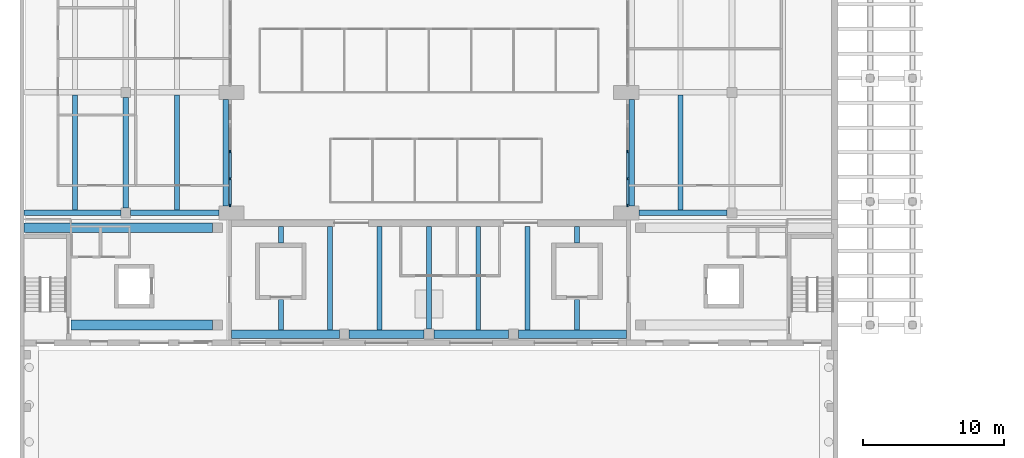
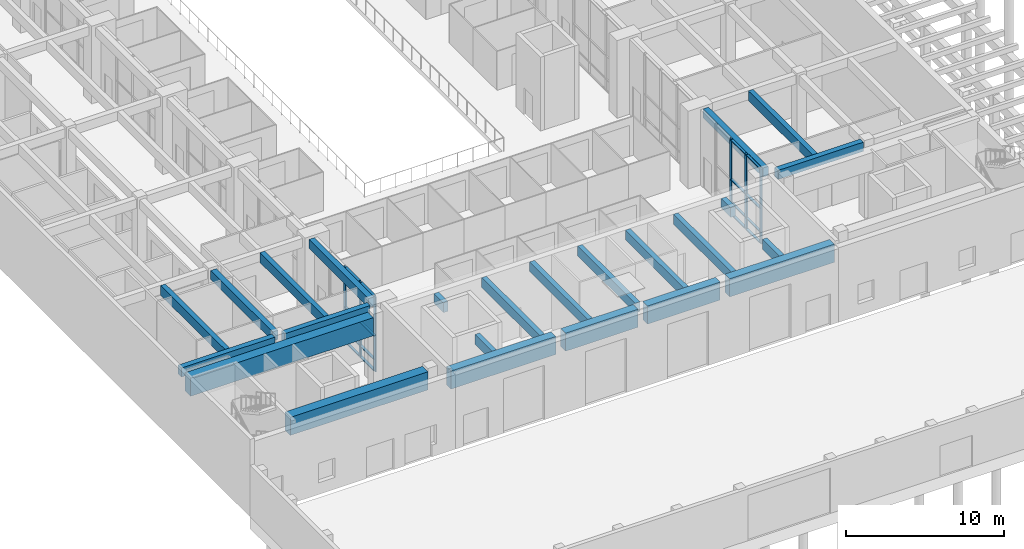
# One storey, part 11 of 51: 24 beams, 22 members, 2 elements without a shape of their own.
"""IFC4 building model written with IfcOpenShell, lengths in metres."""

from ifc_helpers import new_model, si_unit, direction, frame, origin, origin_2d, place, context, subcontext, project, spatial, rectangle, extrude, material, material_profile, profile_set, type_object, element, aggregate, save


model = new_model("IFC4")

# Units and contexts
model_context = context("Model", 3, precision=1e-05, world=origin(), true_north=direction((0.0, 1.0)))
body_context = subcontext(model_context, "Body", "Model", "MODEL_VIEW")
ifc_project = project(units=[si_unit("LENGTHUNIT", "METRE"), si_unit("AREAUNIT", "SQUARE_METRE"), si_unit("VOLUMEUNIT", "CUBIC_METRE"), si_unit("PLANEANGLEUNIT", "RADIAN"), si_unit("MASSUNIT", "GRAM", prefix="KILO")], contexts=[model_context])

# Site, building, storey
site_placement = place(None, origin())
site = spatial("IfcSite", under=ifc_project, at=site_placement, CompositionType="ELEMENT")
building_placement = place(site_placement, origin())
building = spatial("IfcBuilding", under=site, at=building_placement, Name="Elmora Arch Market Hall", CompositionType="ELEMENT")
storey_placement = place(building_placement, origin())
storey = spatial("IfcBuildingStorey", under=building, at=storey_placement, Name="L00", CompositionType="ELEMENT", Elevation=0.0)

# Beams
ifc_material_1 = material(Name="Concrete C32/40", Category="concrete")
ifc_material_profile_1 = material_profile(ifc_material_1, rectangle(XDim=0.699951171875, YDim=1.39990234375, at=origin_2d()), Name="Corner block girder 700x1400")
ifc_profile_set_1 = profile_set([ifc_material_profile_1], Name="Concrete C32/40")
beam_type_1 = type_object("IfcBeamType", Name="Corner block girder 700x1400", PredefinedType="BEAM", material=ifc_profile_set_1)
beam_1_placement = place(storey_placement, frame((3.60009765625, 19.5, 5.050048828125), z_axis=(1.0, 0.0, 0.0), x_axis=(0.0, 1.0, 0.0)))
element("IfcBeam", 1, at=beam_1_placement, inside=storey, type_object=beam_type_1, Name="Corner block girder SWR1 L00.1", PredefinedType="BEAM", context=body_context, shape_type="SweptSolid", body=[
    extrude(rectangle(XDim=0.699951171875, YDim=1.39990234375, at=origin_2d()), origin(), (0.0, 0.0, 1.0), 10.0498046875),
])
beam_2_placement = place(storey_placement, frame((0.300048828125, 26.39990234375, 5.050048828125), z_axis=(1.0, 0.0, 0.0), x_axis=(0.0, 1.0, 0.0)))
element("IfcBeam", 2, at=beam_2_placement, inside=storey, type_object=beam_type_1, Name="Corner block girder SWR2 L00.1", PredefinedType="BEAM", context=body_context, shape_type="SweptSolid", body=[
    extrude(rectangle(XDim=0.699951171875, YDim=1.39990234375, at=origin_2d()), origin(), (0.0, 0.0, 1.0), 13.349853515625),
])
ifc_material_2 = material(Name="Concrete C32/40", Category="concrete")
ifc_material_profile_2 = material_profile(ifc_material_2, rectangle(XDim=0.60009765625, YDim=1.39990234375, at=origin_2d()), Name="Dock edge girder 600x1400")
ifc_profile_set_2 = profile_set([ifc_material_profile_2], Name="Concrete C32/40")
beam_type_2 = type_object("IfcBeamType", Name="Dock edge girder 600x1400", PredefinedType="BEAM", material=ifc_profile_set_2)
beam_3_placement = place(storey_placement, frame((15.0, 18.85009765625, 5.0), z_axis=(1.0, 0.0, 0.0), x_axis=(0.0, 1.0, 0.0)))
element("IfcBeam", 3, at=beam_3_placement, inside=storey, type_object=beam_type_2, Name="Dock edge girder DKE L00.1", PredefinedType="BEAM", context=body_context, shape_type="SweptSolid", body=[
    extrude(rectangle(XDim=0.60009765625, YDim=1.39990234375, at=origin_2d()), origin(), (0.0, 0.0, 1.0), 7.64990234375),
])
for number, where, z_axis, x_axis, name in (
    (4, (23.35009765625, 18.85009765625, 5.0), (1.0, 0.0, 0.0), (0.0, 1.0, 0.0), "Dock edge girder DKE L00.2"),
    (5, (29.35009765625, 18.85009765625, 5.0), (1.0, 0.0, 0.0), (0.0, 1.0, 0.0), "Dock edge girder DKE L00.3"),
):
    element("IfcBeam", number, at=place(storey_placement, frame(where, z_axis=z_axis, x_axis=x_axis)), inside=storey, type_object=beam_type_2, Name=name, PredefinedType="BEAM", context=body_context, shape_type="SweptSolid", body=[
        extrude(rectangle(XDim=0.60009765625, YDim=1.39990234375, at=origin_2d()), origin(), (0.0, 0.0, 1.0), 5.2998046875),
    ])
beam_4_placement = place(storey_placement, frame((35.35009765625, 18.85009765625, 5.0), z_axis=(1.0, 0.0, 0.0), x_axis=(0.0, 1.0, 0.0)))
element("IfcBeam", 6, at=beam_4_placement, inside=storey, type_object=beam_type_2, Name="Dock edge girder DKE L00.4", PredefinedType="BEAM", context=body_context, shape_type="SweptSolid", body=[
    extrude(rectangle(XDim=0.60009765625, YDim=1.39990234375, at=origin_2d()), origin(), (0.0, 0.0, 1.0), 7.64990234375),
])
ifc_material_3 = material(Name="Concrete C32/40", Category="concrete")
ifc_material_profile_3 = material_profile(ifc_material_3, rectangle(XDim=0.35009765625, YDim=0.75, at=origin_2d()), Name="Dock joist 350x750")
ifc_profile_set_3 = profile_set([ifc_material_profile_3], Name="Concrete C32/40")
beam_type_3 = type_object("IfcBeamType", Name="Dock joist 350x750", PredefinedType="JOIST", material=ifc_profile_set_3)
beam_5_placement = place(storey_placement, frame((18.5, 19.14990234375, 5.324951171875), z_axis=(0.0, 1.0, 0.0), x_axis=(-1.0, 0.0, 0.0)))
element("IfcBeam", 7, at=beam_5_placement, inside=storey, type_object=beam_type_3, Name="Dock joist DKJ1 L00.1", PredefinedType="JOIST", context=body_context, shape_type="SweptSolid", body=[
    extrude(rectangle(XDim=0.35009765625, YDim=0.75, at=origin_2d()), origin(), (0.0, 0.0, 1.0), 2.150146484375),
])
beam_6_placement = place(storey_placement, frame((18.5, 25.300048828125, 5.324951171875), z_axis=(0.0, 1.0, 0.0), x_axis=(-1.0, 0.0, 0.0)))
element("IfcBeam", 8, at=beam_6_placement, inside=storey, type_object=beam_type_3, Name="Dock joist DKJ1 L00.2", PredefinedType="JOIST", context=body_context, shape_type="SweptSolid", body=[
    extrude(rectangle(XDim=0.35009765625, YDim=0.75, at=origin_2d()), origin(), (0.0, 0.0, 1.0), 1.199951171875),
])
for number, where, z_axis, x_axis, name in (
    (9, (22.0, 19.14990234375, 5.324951171875), (0.0, 1.0, 0.0), (-1.0, 0.0, 0.0), "Dock joist DKJ2 L00.1"),
    (10, (25.5, 19.14990234375, 5.324951171875), (0.0, 1.0, 0.0), (-1.0, 0.0, 0.0), "Dock joist DKJ3 L00.1"),
):
    element("IfcBeam", number, at=place(storey_placement, frame(where, z_axis=z_axis, x_axis=x_axis)), inside=storey, type_object=beam_type_3, Name=name, PredefinedType="JOIST", context=body_context, shape_type="SweptSolid", body=[
        extrude(rectangle(XDim=0.35009765625, YDim=0.75, at=origin_2d()), origin(), (0.0, 0.0, 1.0), 7.35009765625),
    ])
beam_7_placement = place(storey_placement, frame((29.0, 19.199951171875, 5.324951171875), z_axis=(0.0, 1.0, 0.0), x_axis=(-1.0, 0.0, 0.0)))
element("IfcBeam", 11, at=beam_7_placement, inside=storey, type_object=beam_type_3, Name="Dock joist DKJ4 L00.1", PredefinedType="JOIST", context=body_context, shape_type="SweptSolid", body=[
    extrude(rectangle(XDim=0.35009765625, YDim=0.75, at=origin_2d()), origin(), (0.0, 0.0, 1.0), 7.300048828125),
])
for number, where, z_axis, x_axis, name in (
    (12, (32.5, 19.14990234375, 5.324951171875), (0.0, 1.0, 0.0), (-1.0, 0.0, 0.0), "Dock joist DKJ5 L00.1"),
    (13, (36.0, 19.14990234375, 5.324951171875), (0.0, 1.0, 0.0), (-1.0, 0.0, 0.0), "Dock joist DKJ6 L00.1"),
):
    element("IfcBeam", number, at=place(storey_placement, frame(where, z_axis=z_axis, x_axis=x_axis)), inside=storey, type_object=beam_type_3, Name=name, PredefinedType="JOIST", context=body_context, shape_type="SweptSolid", body=[
        extrude(rectangle(XDim=0.35009765625, YDim=0.75, at=origin_2d()), origin(), (0.0, 0.0, 1.0), 7.35009765625),
    ])
beam_8_placement = place(storey_placement, frame((39.5, 19.14990234375, 5.324951171875), z_axis=(0.0, 1.0, 0.0), x_axis=(-1.0, 0.0, 0.0)))
element("IfcBeam", 14, at=beam_8_placement, inside=storey, type_object=beam_type_3, Name="Dock joist DKJ7 L00.1", PredefinedType="JOIST", context=body_context, shape_type="SweptSolid", body=[
    extrude(rectangle(XDim=0.35009765625, YDim=0.75, at=origin_2d()), origin(), (0.0, 0.0, 1.0), 2.150146484375),
])
beam_9_placement = place(storey_placement, frame((39.5, 25.300048828125, 5.324951171875), z_axis=(0.0, 1.0, 0.0), x_axis=(-1.0, 0.0, 0.0)))
element("IfcBeam", 15, at=beam_9_placement, inside=storey, type_object=beam_type_3, Name="Dock joist DKJ7 L00.2", PredefinedType="JOIST", context=body_context, shape_type="SweptSolid", body=[
    extrude(rectangle(XDim=0.35009765625, YDim=0.75, at=origin_2d()), origin(), (0.0, 0.0, 1.0), 1.199951171875),
])

# Curtain wall, members
ifc_material_4 = material(Name="Aluminium", Category="aluminium")
curtain_wall_type = type_object("IfcCurtainWallType", Name="Shopfront curtain wall", PredefinedType="NOTDEFINED", material=ifc_material_4)
curtain_wall_1_placement = place(storey_placement, origin())
curtain_wall_1 = element("IfcCurtainWall", 16, at=curtain_wall_1_placement, inside=storey, type_object=curtain_wall_type, Name="Shopfront W 1", PredefinedType="NOTDEFINED")
ifc_material_5 = material(Name="Aluminium", Category="aluminium")
ifc_material_profile_4 = material_profile(ifc_material_5, rectangle(XDim=0.10009765625, YDim=0.219970703125, at=origin_2d()), Name="AL 100x220")
ifc_profile_set_4 = profile_set([ifc_material_profile_4], Name="Aluminium")
member_type_1 = type_object("IfcMemberType", Name="Mullion 100x220", PredefinedType="MULLION", material=ifc_profile_set_4)
member_1_placement = place(storey_placement, frame((14.89990234375, 28.0, 0.0), z_axis=(0.0, 0.0, 1.0), x_axis=(-1.0, 0.0, 0.0)))
member_1 = element("IfcMember", 17, at=member_1_placement, type_object=member_type_1, Name="CW3 mullion 1", PredefinedType="MULLION", context=body_context, shape_type="SweptSolid", body=[
    extrude(rectangle(XDim=0.10009765625, YDim=0.219970703125, at=origin_2d()), origin(), (0.0, 0.0, 1.0), 5.800048828125),
])
member_2_placement = place(storey_placement, frame((14.89990234375, 29.86669921875, 0.0), z_axis=(0.0, 0.0, 1.0), x_axis=(-1.0, 0.0, 0.0)))
member_2 = element("IfcMember", 18, at=member_2_placement, type_object=member_type_1, Name="CW3 mullion 2", PredefinedType="MULLION", context=body_context, shape_type="SweptSolid", body=[
    extrude(rectangle(XDim=0.10009765625, YDim=0.219970703125, at=origin_2d()), origin(), (0.0, 0.0, 1.0), 5.800048828125),
])
member_3_placement = place(storey_placement, frame((14.89990234375, 31.783447265625, 0.0), z_axis=(0.0, 0.0, 1.0), x_axis=(-1.0, 0.0, 0.0)))
member_3 = element("IfcMember", 19, at=member_3_placement, type_object=member_type_1, Name="CW3 mullion 3", PredefinedType="MULLION", context=body_context, shape_type="SweptSolid", body=[
    extrude(rectangle(XDim=0.10009765625, YDim=0.219970703125, at=origin_2d()), origin(), (0.0, 0.0, 1.0), 5.800048828125),
])

curtain_wall_2_placement = place(storey_placement, origin())
curtain_wall_2 = element("IfcCurtainWall", 20, at=curtain_wall_2_placement, inside=storey, type_object=curtain_wall_type, Name="Shopfront E 1", PredefinedType="NOTDEFINED")
member_4_placement = place(storey_placement, frame((43.10009765625, 28.0, 0.0), z_axis=(0.0, 0.0, 1.0), x_axis=(-1.0, 0.0, 0.0)))
member_4 = element("IfcMember", 21, at=member_4_placement, type_object=member_type_1, Name="CW3 mullion 1", PredefinedType="MULLION", context=body_context, shape_type="SweptSolid", body=[
    extrude(rectangle(XDim=0.10009765625, YDim=0.219970703125, at=origin_2d()), origin(), (0.0, 0.0, 1.0), 5.800048828125),
])
member_5_placement = place(storey_placement, frame((43.10009765625, 29.86669921875, 0.0), z_axis=(0.0, 0.0, 1.0), x_axis=(-1.0, 0.0, 0.0)))
member_5 = element("IfcMember", 22, at=member_5_placement, type_object=member_type_1, Name="CW3 mullion 2", PredefinedType="MULLION", context=body_context, shape_type="SweptSolid", body=[
    extrude(rectangle(XDim=0.10009765625, YDim=0.219970703125, at=origin_2d()), origin(), (0.0, 0.0, 1.0), 5.800048828125),
])
member_6_placement = place(storey_placement, frame((43.10009765625, 31.783447265625, 0.0), z_axis=(0.0, 0.0, 1.0), x_axis=(-1.0, 0.0, 0.0)))
member_6 = element("IfcMember", 23, at=member_6_placement, type_object=member_type_1, Name="CW3 mullion 3", PredefinedType="MULLION", context=body_context, shape_type="SweptSolid", body=[
    extrude(rectangle(XDim=0.10009765625, YDim=0.219970703125, at=origin_2d()), origin(), (0.0, 0.0, 1.0), 5.800048828125),
])

# Member
ifc_material_6 = material(Name="Aluminium", Category="aluminium")
ifc_material_profile_5 = material_profile(ifc_material_6, rectangle(XDim=0.179931640625, YDim=0.074951171875, at=origin_2d()), Name="AL 180x75")
ifc_profile_set_5 = profile_set([ifc_material_profile_5], Name="Aluminium")
member_type_2 = type_object("IfcMemberType", Name="Transom 180x75", PredefinedType="USERDEFINED", material=ifc_profile_set_5)
member_7_placement = place(storey_placement, frame((14.89990234375, 28.050048828125, 0.03759765625), z_axis=(0.0, 1.0, 0.0), x_axis=(-1.0, 0.0, 0.0)))
member_7 = element("IfcMember", 24, at=member_7_placement, type_object=member_type_2, Name="CW3 transom 1.1", ObjectType="TRANSOM", PredefinedType="USERDEFINED", context=body_context, shape_type="SweptSolid", body=[
    extrude(rectangle(XDim=0.179931640625, YDim=0.074951171875, at=origin_2d()), origin(), (0.0, 0.0, 1.0), 1.7666015625),
])

member_8_placement = place(storey_placement, frame((14.89990234375, 28.050048828125, 0.89990234375), z_axis=(0.0, 1.0, 0.0), x_axis=(-1.0, 0.0, 0.0)))
member_8 = element("IfcMember", 25, at=member_8_placement, type_object=member_type_2, Name="CW3 transom 1.2", ObjectType="TRANSOM", PredefinedType="USERDEFINED", context=body_context, shape_type="SweptSolid", body=[
    extrude(rectangle(XDim=0.179931640625, YDim=0.074951171875, at=origin_2d()), origin(), (0.0, 0.0, 1.0), 1.7666015625),
])

member_9_placement = place(storey_placement, frame((14.89990234375, 28.050048828125, 2.699951171875), z_axis=(0.0, 1.0, 0.0), x_axis=(-1.0, 0.0, 0.0)))
member_9 = element("IfcMember", 26, at=member_9_placement, type_object=member_type_2, Name="CW3 transom 1.3", ObjectType="TRANSOM", PredefinedType="USERDEFINED", context=body_context, shape_type="SweptSolid", body=[
    extrude(rectangle(XDim=0.179931640625, YDim=0.074951171875, at=origin_2d()), origin(), (0.0, 0.0, 1.0), 1.7666015625),
])

member_10_placement = place(storey_placement, frame((14.89990234375, 28.050048828125, 5.762451171875), z_axis=(0.0, 1.0, 0.0), x_axis=(-1.0, 0.0, 0.0)))
member_10 = element("IfcMember", 27, at=member_10_placement, type_object=member_type_2, Name="CW3 transom 1.4", ObjectType="TRANSOM", PredefinedType="USERDEFINED", context=body_context, shape_type="SweptSolid", body=[
    extrude(rectangle(XDim=0.179931640625, YDim=0.074951171875, at=origin_2d()), origin(), (0.0, 0.0, 1.0), 1.7666015625),
])

member_11_placement = place(storey_placement, frame((14.89990234375, 29.916748046875, 0.03759765625), z_axis=(0.0, 1.0, 0.0), x_axis=(-1.0, 0.0, 0.0)))
member_11 = element("IfcMember", 28, at=member_11_placement, type_object=member_type_2, Name="CW3 transom 2.1", ObjectType="TRANSOM", PredefinedType="USERDEFINED", context=body_context, shape_type="SweptSolid", body=[
    extrude(rectangle(XDim=0.179931640625, YDim=0.074951171875, at=origin_2d()), origin(), (0.0, 0.0, 1.0), 1.816650390625),
])

member_12_placement = place(storey_placement, frame((14.89990234375, 29.916748046875, 0.89990234375), z_axis=(0.0, 1.0, 0.0), x_axis=(-1.0, 0.0, 0.0)))
member_12 = element("IfcMember", 29, at=member_12_placement, type_object=member_type_2, Name="CW3 transom 2.2", ObjectType="TRANSOM", PredefinedType="USERDEFINED", context=body_context, shape_type="SweptSolid", body=[
    extrude(rectangle(XDim=0.179931640625, YDim=0.074951171875, at=origin_2d()), origin(), (0.0, 0.0, 1.0), 1.816650390625),
])

member_13_placement = place(storey_placement, frame((14.89990234375, 29.916748046875, 2.699951171875), z_axis=(0.0, 1.0, 0.0), x_axis=(-1.0, 0.0, 0.0)))
member_13 = element("IfcMember", 30, at=member_13_placement, type_object=member_type_2, Name="CW3 transom 2.3", ObjectType="TRANSOM", PredefinedType="USERDEFINED", context=body_context, shape_type="SweptSolid", body=[
    extrude(rectangle(XDim=0.179931640625, YDim=0.074951171875, at=origin_2d()), origin(), (0.0, 0.0, 1.0), 1.816650390625),
])

member_14_placement = place(storey_placement, frame((14.89990234375, 29.916748046875, 5.762451171875), z_axis=(0.0, 1.0, 0.0), x_axis=(-1.0, 0.0, 0.0)))
member_14 = element("IfcMember", 31, at=member_14_placement, type_object=member_type_2, Name="CW3 transom 2.4", ObjectType="TRANSOM", PredefinedType="USERDEFINED", context=body_context, shape_type="SweptSolid", body=[
    extrude(rectangle(XDim=0.179931640625, YDim=0.074951171875, at=origin_2d()), origin(), (0.0, 0.0, 1.0), 1.816650390625),
])

aggregate(curtain_wall_1, [member_1, member_2, member_3, member_7, member_8, member_9, member_10, member_11, member_12, member_13, member_14])

member_15_placement = place(storey_placement, frame((43.10009765625, 28.050048828125, 0.03759765625), z_axis=(0.0, 1.0, 0.0), x_axis=(-1.0, 0.0, 0.0)))
member_15 = element("IfcMember", 32, at=member_15_placement, type_object=member_type_2, Name="CW3 transom 1.1", ObjectType="TRANSOM", PredefinedType="USERDEFINED", context=body_context, shape_type="SweptSolid", body=[
    extrude(rectangle(XDim=0.179931640625, YDim=0.074951171875, at=origin_2d()), origin(), (0.0, 0.0, 1.0), 1.7666015625),
])

member_16_placement = place(storey_placement, frame((43.10009765625, 28.050048828125, 0.89990234375), z_axis=(0.0, 1.0, 0.0), x_axis=(-1.0, 0.0, 0.0)))
member_16 = element("IfcMember", 33, at=member_16_placement, type_object=member_type_2, Name="CW3 transom 1.2", ObjectType="TRANSOM", PredefinedType="USERDEFINED", context=body_context, shape_type="SweptSolid", body=[
    extrude(rectangle(XDim=0.179931640625, YDim=0.074951171875, at=origin_2d()), origin(), (0.0, 0.0, 1.0), 1.7666015625),
])

member_17_placement = place(storey_placement, frame((43.10009765625, 28.050048828125, 2.699951171875), z_axis=(0.0, 1.0, 0.0), x_axis=(-1.0, 0.0, 0.0)))
member_17 = element("IfcMember", 34, at=member_17_placement, type_object=member_type_2, Name="CW3 transom 1.3", ObjectType="TRANSOM", PredefinedType="USERDEFINED", context=body_context, shape_type="SweptSolid", body=[
    extrude(rectangle(XDim=0.179931640625, YDim=0.074951171875, at=origin_2d()), origin(), (0.0, 0.0, 1.0), 1.7666015625),
])

member_18_placement = place(storey_placement, frame((43.10009765625, 28.050048828125, 5.762451171875), z_axis=(0.0, 1.0, 0.0), x_axis=(-1.0, 0.0, 0.0)))
member_18 = element("IfcMember", 35, at=member_18_placement, type_object=member_type_2, Name="CW3 transom 1.4", ObjectType="TRANSOM", PredefinedType="USERDEFINED", context=body_context, shape_type="SweptSolid", body=[
    extrude(rectangle(XDim=0.179931640625, YDim=0.074951171875, at=origin_2d()), origin(), (0.0, 0.0, 1.0), 1.7666015625),
])

member_19_placement = place(storey_placement, frame((43.10009765625, 29.916748046875, 0.03759765625), z_axis=(0.0, 1.0, 0.0), x_axis=(-1.0, 0.0, 0.0)))
member_19 = element("IfcMember", 36, at=member_19_placement, type_object=member_type_2, Name="CW3 transom 2.1", ObjectType="TRANSOM", PredefinedType="USERDEFINED", context=body_context, shape_type="SweptSolid", body=[
    extrude(rectangle(XDim=0.179931640625, YDim=0.074951171875, at=origin_2d()), origin(), (0.0, 0.0, 1.0), 1.816650390625),
])

member_20_placement = place(storey_placement, frame((43.10009765625, 29.916748046875, 0.89990234375), z_axis=(0.0, 1.0, 0.0), x_axis=(-1.0, 0.0, 0.0)))
member_20 = element("IfcMember", 37, at=member_20_placement, type_object=member_type_2, Name="CW3 transom 2.2", ObjectType="TRANSOM", PredefinedType="USERDEFINED", context=body_context, shape_type="SweptSolid", body=[
    extrude(rectangle(XDim=0.179931640625, YDim=0.074951171875, at=origin_2d()), origin(), (0.0, 0.0, 1.0), 1.816650390625),
])

member_21_placement = place(storey_placement, frame((43.10009765625, 29.916748046875, 2.699951171875), z_axis=(0.0, 1.0, 0.0), x_axis=(-1.0, 0.0, 0.0)))
member_21 = element("IfcMember", 38, at=member_21_placement, type_object=member_type_2, Name="CW3 transom 2.3", ObjectType="TRANSOM", PredefinedType="USERDEFINED", context=body_context, shape_type="SweptSolid", body=[
    extrude(rectangle(XDim=0.179931640625, YDim=0.074951171875, at=origin_2d()), origin(), (0.0, 0.0, 1.0), 1.816650390625),
])

member_22_placement = place(storey_placement, frame((43.10009765625, 29.916748046875, 5.762451171875), z_axis=(0.0, 1.0, 0.0), x_axis=(-1.0, 0.0, 0.0)))
member_22 = element("IfcMember", 39, at=member_22_placement, type_object=member_type_2, Name="CW3 transom 2.4", ObjectType="TRANSOM", PredefinedType="USERDEFINED", context=body_context, shape_type="SweptSolid", body=[
    extrude(rectangle(XDim=0.179931640625, YDim=0.074951171875, at=origin_2d()), origin(), (0.0, 0.0, 1.0), 1.816650390625),
])

aggregate(curtain_wall_2, [member_4, member_5, member_6, member_15, member_16, member_17, member_18, member_19, member_20, member_21, member_22])

# Beams
ifc_material_7 = material(Name="Concrete C32/40", Category="concrete")
ifc_material_profile_6 = material_profile(ifc_material_7, rectangle(XDim=0.39990234375, YDim=0.699951171875, at=origin_2d()), Name="Wing beam 400x700")
ifc_profile_set_6 = profile_set([ifc_material_profile_6], Name="Concrete C32/40")
beam_type_4 = type_object("IfcBeamType", Name="Wing beam 400x700", PredefinedType="BEAM", material=ifc_profile_set_6)
beam_10_placement = place(storey_placement, frame((0.300048828125, 27.449951171875, 5.449951171875), z_axis=(1.0, 0.0, 0.0), x_axis=(0.0, 1.0, 0.0)))
element("IfcBeam", 40, at=beam_10_placement, inside=storey, type_object=beam_type_4, Name="Wing beam WR1 L00.1", PredefinedType="BEAM", context=body_context, shape_type="SweptSolid", body=[
    extrude(rectangle(XDim=0.39990234375, YDim=0.699951171875, at=origin_2d()), origin(), (0.0, 0.0, 1.0), 6.849853515625),
])
beam_11_placement = place(storey_placement, frame((7.85009765625, 27.449951171875, 5.449951171875), z_axis=(1.0, 0.0, 0.0), x_axis=(0.0, 1.0, 0.0)))
element("IfcBeam", 41, at=beam_11_placement, inside=storey, type_object=beam_type_4, Name="Wing beam WR1 L00.2", PredefinedType="BEAM", context=body_context, shape_type="SweptSolid", body=[
    extrude(rectangle(XDim=0.39990234375, YDim=0.699951171875, at=origin_2d()), origin(), (0.0, 0.0, 1.0), 6.25),
])
beam_12_placement = place(storey_placement, frame((7.5, 27.800048828125, 5.449951171875), z_axis=(0.0, 1.0, 0.0), x_axis=(-1.0, 0.0, 0.0)))
element("IfcBeam", 42, at=beam_12_placement, inside=storey, type_object=beam_type_4, Name="Wing beam WG L00.1", PredefinedType="BEAM", context=body_context, shape_type="SweptSolid", body=[
    extrude(rectangle(XDim=0.39990234375, YDim=0.699951171875, at=origin_2d()), origin(), (0.0, 0.0, 1.0), 7.849853515625),
])
beam_13_placement = place(storey_placement, frame((14.60009765625, 27.949951171875, 5.449951171875), z_axis=(0.0, 1.0, 0.0), x_axis=(-1.0, 0.0, 0.0)))
element("IfcBeam", 43, at=beam_13_placement, inside=storey, type_object=beam_type_4, Name="Wing beam WEB L00.1", PredefinedType="BEAM", context=body_context, shape_type="SweptSolid", body=[
    extrude(rectangle(XDim=0.39990234375, YDim=0.699951171875, at=origin_2d()), origin(), (0.0, 0.0, 1.0), 7.550048828125),
])
beam_14_placement = place(storey_placement, frame((43.89990234375, 27.449951171875, 5.449951171875), z_axis=(1.0, 0.0, 0.0), x_axis=(0.0, 1.0, 0.0)))
element("IfcBeam", 44, at=beam_14_placement, inside=storey, type_object=beam_type_4, Name="Wing beam ER1 L00.1", PredefinedType="BEAM", context=body_context, shape_type="SweptSolid", body=[
    extrude(rectangle(XDim=0.39990234375, YDim=0.699951171875, at=origin_2d()), origin(), (0.0, 0.0, 1.0), 6.25),
])
beam_15_placement = place(storey_placement, frame((43.39990234375, 27.949951171875, 5.449951171875), z_axis=(0.0, 1.0, 0.0), x_axis=(-1.0, 0.0, 0.0)))
element("IfcBeam", 45, at=beam_15_placement, inside=storey, type_object=beam_type_4, Name="Wing beam EEB L00.1", PredefinedType="BEAM", context=body_context, shape_type="SweptSolid", body=[
    extrude(rectangle(XDim=0.39990234375, YDim=0.699951171875, at=origin_2d()), origin(), (0.0, 0.0, 1.0), 7.550048828125),
])
ifc_material_8 = material(Name="Concrete C32/40", Category="concrete")
ifc_material_profile_7 = material_profile(ifc_material_8, rectangle(XDim=0.35009765625, YDim=0.75, at=origin_2d()), Name="Wing joist 350x750")
ifc_profile_set_7 = profile_set([ifc_material_profile_7], Name="Concrete C32/40")
beam_type_5 = type_object("IfcBeamType", Name="Wing joist 350x750", PredefinedType="JOIST", material=ifc_profile_set_7)
for number, where, z_axis, x_axis, name in (
    (46, (3.89990234375, 27.64990234375, 5.425048828125), (0.0, 1.0, 0.0), (-1.0, 0.0, 0.0), "Wing joist WJ1 L00.1"),
    (47, (11.14990234375, 27.64990234375, 5.425048828125), (0.0, 1.0, 0.0), (-1.0, 0.0, 0.0), "Wing joist WJ2 L00.1"),
    (48, (46.85009765625, 27.64990234375, 5.425048828125), (0.0, 1.0, 0.0), (-1.0, 0.0, 0.0), "Wing joist EJ1 L00.1"),
):
    element("IfcBeam", number, at=place(storey_placement, frame(where, z_axis=z_axis, x_axis=x_axis)), inside=storey, type_object=beam_type_5, Name=name, PredefinedType="JOIST", context=body_context, shape_type="SweptSolid", body=[
        extrude(rectangle(XDim=0.35009765625, YDim=0.75, at=origin_2d()), origin(), (0.0, 0.0, 1.0), 8.150146484375),
    ])

save(model, "model.ifc")
